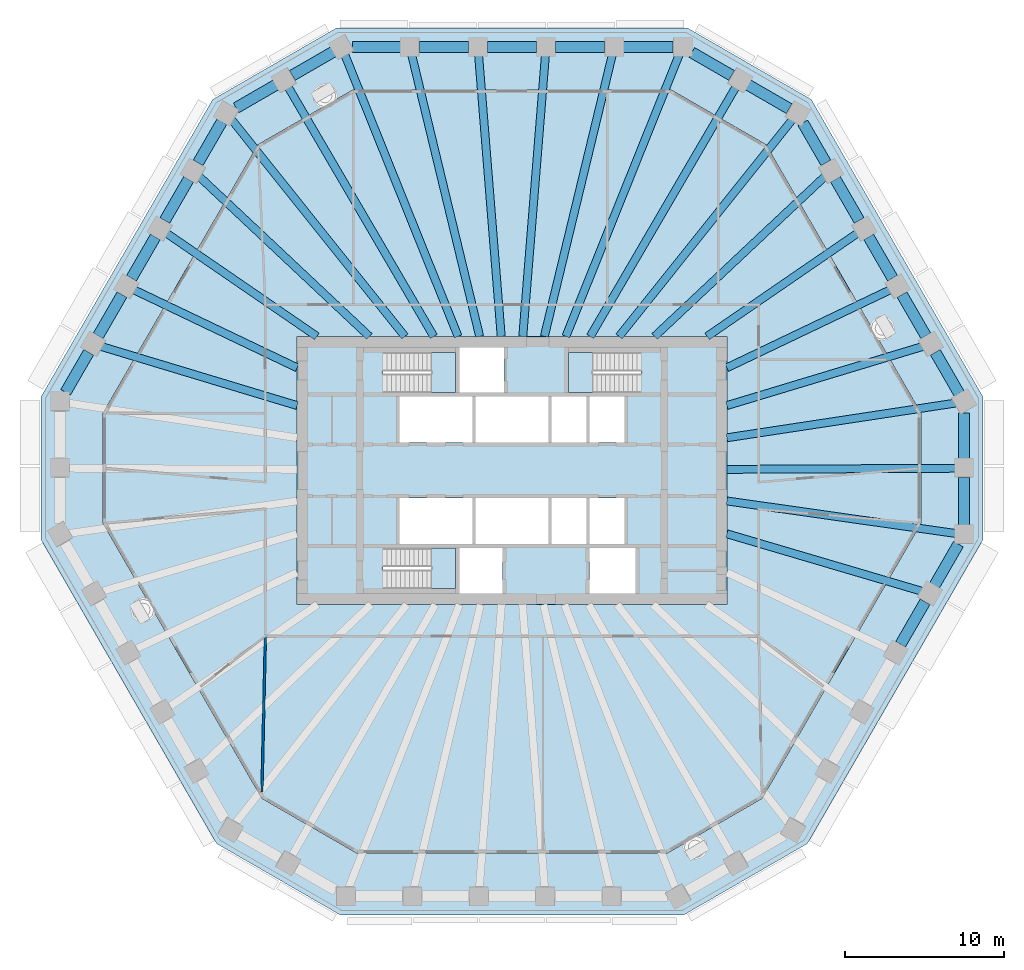
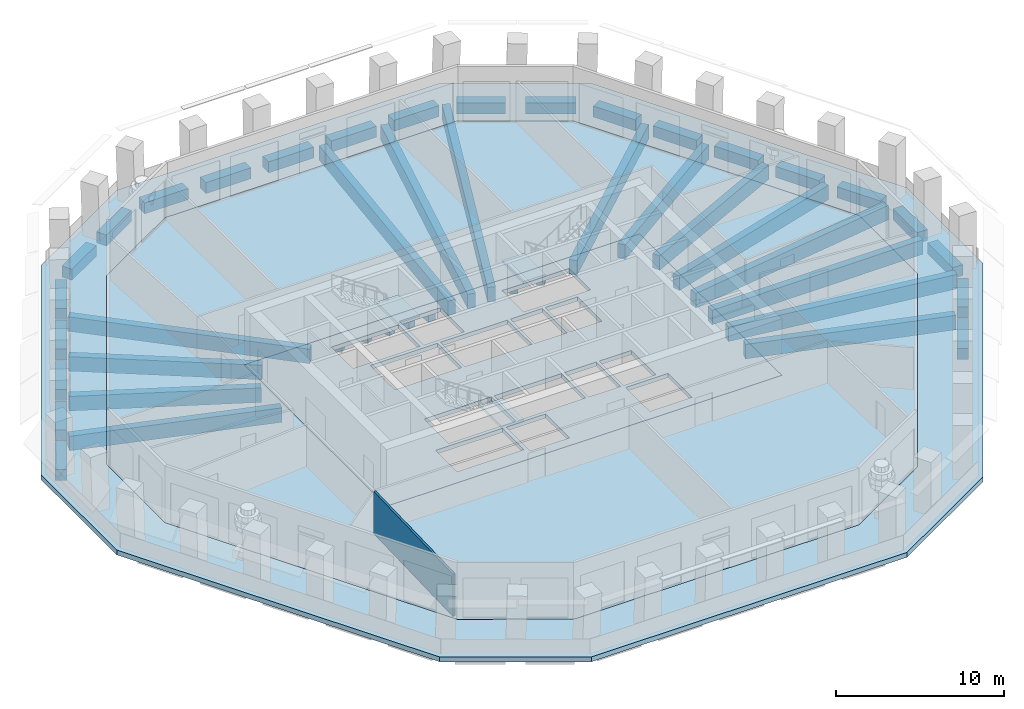
# One storey, part 2 of 12: 45 beams, 6 slabs, 1 wall, 3 elements without a shape of their own.
"""IFC4 building model written with IfcOpenShell, lengths in metres."""

import ifcopenshell
import ifcopenshell.guid

model = None  # the IFC model being written
_history = None  # IfcOwnerHistory: only IFC2X3 demands one
_inside = {}  # id of a spatial element -> (the spatial element, [elements in it])
_under = {}  # id of a project, library or spatial element -> (it, [spatial elements below it])
_declared = {}  # id of a project -> (the project, [libraries it declares])
_typed = {}  # id of a type object -> (the type object, [elements of that type])
_made_of = {}  # id of a material, layer set ... -> (it, [elements and type objects made of it])


def new_model(schema):
    """Start an empty IFC model of exactly this schema.

    Asked for "IFC4X3", IfcOpenShell would pick the latest addendum, in which some entities
    have other attributes; the version numbers below select the first issue.
    IFC2X3 requires an IfcOwnerHistory on every rooted entity: one is made here for all.
    """
    global model, _history
    if schema == "IFC4X3":
        model = ifcopenshell.file(schema_version=(4, 3, 0, 0))
    else:
        model = ifcopenshell.file(schema=schema)
    _inside.clear()
    _under.clear()
    _declared.clear()
    _typed.clear()
    _made_of.clear()
    _history = None
    if model.schema == "IFC2X3":
        org = make("IfcOrganization", Name="unknown")
        user = make(
            "IfcPersonAndOrganization",
            ThePerson=make("IfcPerson", FamilyName="unknown"),
            TheOrganization=org,
        )
        app = make(
            "IfcApplication",
            ApplicationDeveloper=org,
            Version="unknown",
            ApplicationFullName="unknown",
            ApplicationIdentifier="unknown",
        )
        _history = make(
            "IfcOwnerHistory",
            OwningUser=user,
            OwningApplication=app,
            ChangeAction="ADDED",
            CreationDate=0,
        )
    return model


def make(cls, **values):
    """One entity of the class cls with the attributes given. An attribute that is None is left unset."""
    return model.create_entity(
        cls, **{name: value for name, value in values.items() if value is not None}
    )


def rooted(cls, **values):
    """An entity with a GlobalId (a new one), such as an element, a storey or a relation."""
    return make(cls, GlobalId=ifcopenshell.guid.new(), OwnerHistory=_history, **values)


def si_unit(unit_type, name, prefix=None):
    """IfcSIUnit, for example si_unit("LENGTHUNIT", "METRE", prefix="MILLI")."""
    return make("IfcSIUnit", UnitType=unit_type, Prefix=prefix, Name=name)


def assignment(units):
    """IfcUnitAssignment: the units of a project."""
    return None if units is None else make("IfcUnitAssignment", Units=units)


def point(xyz):
    """IfcCartesianPoint."""
    return None if xyz is None else make("IfcCartesianPoint", Coordinates=xyz)


def direction(xyz):
    """IfcDirection."""
    return None if xyz is None else make("IfcDirection", DirectionRatios=xyz)


def frame(location, z_axis=None, x_axis=None):
    """IfcAxis2Placement3D, a coordinate frame: its origin and axes. An axis left out is left unset."""
    return make(
        "IfcAxis2Placement3D",
        Location=point(location),
        Axis=direction(z_axis),
        RefDirection=direction(x_axis),
    )


def frame_2d(location, x_axis=None):
    """IfcAxis2Placement2D, a coordinate frame in the plane: its origin and x axis."""
    return make(
        "IfcAxis2Placement2D", Location=point(location), RefDirection=direction(x_axis)
    )


def origin():
    """The frame at (0, 0, 0) with its axes left unset."""
    return frame((0.0, 0.0, 0.0))


def origin_2d():
    """The frame at (0, 0) in the plane with its x axis left unset."""
    return frame_2d((0.0, 0.0))


def place(relative_to, where):
    """IfcLocalPlacement: puts the frame where relative to a parent placement (None: the world)."""
    return make(
        "IfcLocalPlacement", PlacementRelTo=relative_to, RelativePlacement=where
    )


def context(
    kind, dimensions, precision=None, world=None, true_north=None, identifier=None
):
    """IfcGeometricRepresentationContext, for example the 3D "Model" context."""
    return make(
        "IfcGeometricRepresentationContext",
        ContextIdentifier=identifier,
        ContextType=kind,
        CoordinateSpaceDimension=dimensions,
        Precision=precision,
        WorldCoordinateSystem=world,
        TrueNorth=true_north,
    )


def subcontext(parent, identifier, kind, view, scale=None):
    """IfcGeometricRepresentationSubContext, for example "Body" below "Model"."""
    return make(
        "IfcGeometricRepresentationSubContext",
        ContextIdentifier=identifier,
        ContextType=kind,
        ParentContext=parent,
        TargetScale=scale,
        TargetView=view,
    )


def project(units=None, contexts=None):
    """IfcProject with its units and contexts."""
    return rooted(
        "IfcProject",
        Name="project",
        RepresentationContexts=contexts,
        UnitsInContext=assignment(units),
    )


def spatial(cls, under=None, at=None, **own):
    """A site, building, storey or space (cls), placed at a placement, below another one or the project."""
    s = rooted(cls, ObjectPlacement=at, **own)
    if under is not None:
        _under.setdefault(under.id(), (under, []))[1].append(s)
    return s


def polyline(points):
    """IfcPolyline through the points."""
    return make("IfcPolyline", Points=[point(p) for p in points])


def profile(cls, at=None, kind="AREA", **sizes):
    """A parametric profile (cls). Its sizes go by their IFC names, for example OverallWidth=200.0."""
    return make(cls, ProfileType=kind, Position=at, **sizes)


def rectangle(**sizes):
    """IfcRectangleProfileDef."""
    return profile("IfcRectangleProfileDef", **sizes)


def outline(outer, holes=None, kind="AREA"):
    """IfcArbitraryClosedProfileDef: a profile drawn as a closed curve; with holes, ...WithVoids."""
    if holes is None:
        return make("IfcArbitraryClosedProfileDef", ProfileType=kind, OuterCurve=outer)
    return make(
        "IfcArbitraryProfileDefWithVoids",
        ProfileType=kind,
        OuterCurve=outer,
        InnerCurves=holes,
    )


def extrude(swept, where, along, depth):
    """IfcExtrudedAreaSolid: the profile swept, set in the frame where, extruded along a direction by depth."""
    return make(
        "IfcExtrudedAreaSolid",
        SweptArea=swept,
        Position=where,
        ExtrudedDirection=direction(along),
        Depth=depth,
    )


def shape(context_of_items, identifier, shape_type, items):
    """IfcShapeRepresentation: the items that make up one representation, for example the "Body"."""
    return make(
        "IfcShapeRepresentation",
        ContextOfItems=context_of_items,
        RepresentationIdentifier=identifier,
        RepresentationType=shape_type,
        Items=items,
    )


def material(Name=None, Category=None):
    """IfcMaterial."""
    return make("IfcMaterial", Name=Name, Category=Category)


def layer(
    of_material, thickness, ventilated=None, Name=None, Category=None, Priority=None
):
    """IfcMaterialLayer: one layer of a wall or slab, of a material (None: an air gap)."""
    return make(
        "IfcMaterialLayer",
        Material=of_material,
        LayerThickness=thickness,
        IsVentilated=ventilated,
        Name=Name,
        Category=Category,
        Priority=Priority,
    )


def layer_set(layers, Name=None):
    """IfcMaterialLayerSet."""
    return make("IfcMaterialLayerSet", MaterialLayers=layers, LayerSetName=Name)


def material_profile(
    of_material, cross_section, Name=None, Category=None, Priority=None
):
    """IfcMaterialProfile: a cross section and its material."""
    return make(
        "IfcMaterialProfile",
        Name=Name,
        Material=of_material,
        Profile=cross_section,
        Priority=Priority,
        Category=Category,
    )


def profile_set(profiles, Name=None, composite=None):
    """IfcMaterialProfileSet."""
    return make(
        "IfcMaterialProfileSet",
        Name=Name,
        MaterialProfiles=profiles,
        CompositeProfile=composite,
    )


def made_of(thing, what):
    """Note that an element or type object is made of a material, layer set ...; save() writes the relation."""
    if what is not None:
        _made_of.setdefault(what.id(), (what, []))[1].append(thing)
    return thing


def type_object(cls, material=None, **own):
    """A type object (cls), such as IfcWallType, which elements share."""
    return made_of(rooted(cls, **own), material)


def element(
    cls,
    number,
    at=None,
    inside=None,
    cuts=None,
    type_object=None,
    material=None,
    context=None,
    identifier="Body",
    shape_type=None,
    held_by="IfcProductDefinitionShape",
    body=None,
    shapes=None,
    **own,
):
    """One element of the class cls, such as IfcWall. Its Tag is "e" and its number.

    at: its placement. inside: the storey or other place that contains it. cuts: it is an
    opening in that element (IfcRelVoidsElement). A single representation is given by context,
    identifier, shape_type and body (its items); several are given by shapes. held_by: the class
    of the entity that holds the representations. save() writes the other relations.
    """
    e = rooted(cls, Tag="e%d" % number, ObjectPlacement=at, **own)
    if body is not None:
        shapes = [shape(context, identifier, shape_type, body)]
    if shapes is not None:
        e.Representation = make(held_by, Representations=shapes)
    if inside is not None:
        _inside.setdefault(inside.id(), (inside, []))[1].append(e)
    if cuts is not None:
        rooted(
            "IfcRelVoidsElement", RelatingBuildingElement=cuts, RelatedOpeningElement=e
        )
    if type_object is not None:
        _typed.setdefault(type_object.id(), (type_object, []))[1].append(e)
    return made_of(e, material)


def aggregate(whole, parts):
    """IfcRelAggregates: a whole, such as a stair, and the parts it consists of."""
    return rooted("IfcRelAggregates", RelatingObject=whole, RelatedObjects=parts)


def save(model, path):
    """Write the relations noted so far, then the file.

    IfcRelAggregates (storeys below a building ...), IfcRelContainedInSpatialStructure (elements
    in a storey), IfcRelDefinesByType, IfcRelAssociatesMaterial and IfcRelDeclares: one each for
    every whole, place, type object, material and project.
    """
    for whole, parts in _under.values():
        aggregate(whole, parts)
    for where, things in _inside.values():
        rooted(
            "IfcRelContainedInSpatialStructure",
            RelatedElements=things,
            RelatingStructure=where,
        )
    for kind, things in _typed.values():
        rooted("IfcRelDefinesByType", RelatedObjects=things, RelatingType=kind)
    for what, things in _made_of.values():
        rooted("IfcRelAssociatesMaterial", RelatedObjects=things, RelatingMaterial=what)
    for by, libraries in _declared.values():
        rooted("IfcRelDeclares", RelatingContext=by, RelatedDefinitions=libraries)
    model.write(path)


model = new_model("IFC4")

# Units and contexts
model_context = context("Model", 3, precision=1e-05, world=origin(), true_north=direction((0.0, 1.0)))
body_context = subcontext(model_context, "Body", "Model", "MODEL_VIEW")
ifc_project = project(units=[si_unit("LENGTHUNIT", "METRE"), si_unit("AREAUNIT", "SQUARE_METRE"), si_unit("VOLUMEUNIT", "CUBIC_METRE"), si_unit("PLANEANGLEUNIT", "RADIAN"), si_unit("MASSUNIT", "GRAM", prefix="KILO")], contexts=[model_context])

# Site, building, storey
site_placement = place(None, origin())
site = spatial("IfcSite", under=ifc_project, at=site_placement, CompositionType="ELEMENT")
building_placement = place(site_placement, origin())
building = spatial("IfcBuilding", under=site, at=building_placement, Name="Frailejon Research Tower", CompositionType="ELEMENT")
storey_placement = place(building_placement, frame((0.0, 0.0, 149.60009765625)))
storey = spatial("IfcBuildingStorey", under=building, at=storey_placement, Name="L32", CompositionType="ELEMENT", Elevation=149.60009765625)

# Beams
ifc_material_1 = material(Name="Concrete C60/75", Category="concrete")
ifc_material_profile_1 = material_profile(ifc_material_1, rectangle(XDim=0.5, YDim=1.050048828125, at=origin_2d()), Name="Girder 500x1050")
ifc_profile_set_1 = profile_set([ifc_material_profile_1], Name="Concrete C60/75")
beam_type_1 = type_object("IfcBeamType", Name="Girder 500x1050", PredefinedType="BEAM", material=ifc_profile_set_1)
beam_1_placement = place(storey_placement, frame((28.041015625, -3.985107421875, -0.8251953125), z_axis=(-0.990052646145, 0.140697398201, 0.0), x_axis=(-0.140697398201, -0.990052646145, 0.0)))
element("IfcBeam", 1, at=beam_1_placement, inside=storey, type_object=beam_type_1, Name="Girder 500x1050", PredefinedType="BEAM", context=body_context, shape_type="SweptSolid", body=[
    extrude(rectangle(XDim=0.5, YDim=1.050048828125, at=origin_2d()), origin(), (0.0, 0.0, 1.0), 14.636474609375),
])
beam_2_placement = place(storey_placement, frame((28.04248046875, 0.135986328125, -0.8251953125), z_axis=(-0.999988312442, -0.004834767704, 0.0), x_axis=(0.004834767704, -0.999988312442, 0.0)))
element("IfcBeam", 2, at=beam_2_placement, inside=storey, type_object=beam_type_1, Name="Girder 500x1050", PredefinedType="BEAM", context=body_context, shape_type="SweptSolid", body=[
    extrude(rectangle(XDim=0.5, YDim=1.050048828125, at=origin_2d()), origin(), (0.0, 0.0, 1.0), 14.49267578125),
])
beam_3_placement = place(storey_placement, frame((28.00390625, 4.251708984375, -0.8251953125), z_axis=(-0.988668835265, -0.1501130713, 0.0), x_axis=(0.1501130713, -0.988668835265, 0.0)))
element("IfcBeam", 3, at=beam_3_placement, inside=storey, type_object=beam_type_1, Name="Girder 500x1050", PredefinedType="BEAM", context=body_context, shape_type="SweptSolid", body=[
    extrude(rectangle(XDim=0.5, YDim=1.050048828125, at=origin_2d()), origin(), (0.0, 0.0, 1.0), 14.61962890625),
])
beam_4_placement = place(storey_placement, frame((25.9462890625, 7.82861328125, -0.8251953125), z_axis=(-0.957371008476, -0.28886112949, 0.0), x_axis=(0.28886112949, -0.957371008476, 0.0)))
element("IfcBeam", 4, at=beam_4_placement, inside=storey, type_object=beam_type_1, Name="Girder 500x1050", PredefinedType="BEAM", context=body_context, shape_type="SweptSolid", body=[
    extrude(rectangle(XDim=0.5, YDim=1.050048828125, at=origin_2d()), origin(), (0.0, 0.0, 1.0), 12.9482421875),
])
beam_5_placement = place(storey_placement, frame((23.885009765625, 11.40576171875, -0.8251953125), z_axis=(-0.902397402324, -0.430904778668, 0.0), x_axis=(0.430904778668, -0.902397402324, 0.0)))
element("IfcBeam", 5, at=beam_5_placement, inside=storey, type_object=beam_type_1, Name="Girder 500x1050", PredefinedType="BEAM", context=body_context, shape_type="SweptSolid", body=[
    extrude(rectangle(XDim=0.5, YDim=1.050048828125, at=origin_2d()), origin(), (0.0, 0.0, 1.0), 11.452880859375),
])
beam_6_placement = place(storey_placement, frame((21.820068359375, 14.98193359375, -0.8251953125), z_axis=(-0.824385599422, -0.566028606578, 0.0), x_axis=(0.566028606578, -0.824385599422, 0.0)))
element("IfcBeam", 6, at=beam_6_placement, inside=storey, type_object=beam_type_1, Name="Girder 500x1050", PredefinedType="BEAM", context=body_context, shape_type="SweptSolid", body=[
    extrude(rectangle(XDim=0.5, YDim=1.050048828125, at=origin_2d()), origin(), (0.0, 0.0, 1.0), 11.5400390625),
])
beam_7_placement = place(storey_placement, frame((19.752685546875, 18.555908203125, -0.8251953125), z_axis=(-0.728835815672, -0.684688508589, 0.0), x_axis=(0.684688508589, -0.728835815672, 0.0)))
element("IfcBeam", 7, at=beam_7_placement, inside=storey, type_object=beam_type_1, Name="Girder 500x1050", PredefinedType="BEAM", context=body_context, shape_type="SweptSolid", body=[
    extrude(rectangle(XDim=0.5, YDim=1.050048828125, at=origin_2d()), origin(), (0.0, 0.0, 1.0), 14.760009765625),
])
beam_8_placement = place(storey_placement, frame((17.70751953125, 22.155517578125, -0.8251953125), z_axis=(-0.624335229323, -0.781156528121, 0.0), x_axis=(0.781156528121, -0.624335229323, 0.0)))
element("IfcBeam", 8, at=beam_8_placement, inside=storey, type_object=beam_type_1, Name="Girder 500x1050", PredefinedType="BEAM", context=body_context, shape_type="SweptSolid", body=[
    extrude(rectangle(XDim=0.5, YDim=1.050048828125, at=origin_2d()), origin(), (0.0, 0.0, 1.0), 17.545166015625),
])
beam_9_placement = place(storey_placement, frame((14.13916015625, 24.217529296875, -0.8251953125), z_axis=(-0.50419024716, -0.863592609202, 0.0), x_axis=(0.863592609202, -0.50419024716, 0.0)))
element("IfcBeam", 9, at=beam_9_placement, inside=storey, type_object=beam_type_1, Name="Girder 500x1050", PredefinedType="BEAM", context=body_context, shape_type="SweptSolid", body=[
    extrude(rectangle(XDim=0.5, YDim=1.050048828125, at=origin_2d()), origin(), (0.0, 0.0, 1.0), 18.258056640625),
])
beam_10_placement = place(storey_placement, frame((10.55419921875, 26.2392578125, -0.8251953125), z_axis=(-0.373179133587, -0.927759308364, 0.0), x_axis=(0.927759308364, -0.373179133587, 0.0)))
element("IfcBeam", 10, at=beam_10_placement, inside=storey, type_object=beam_type_1, Name="Girder 500x1050", PredefinedType="BEAM", context=body_context, shape_type="SweptSolid", body=[
    extrude(rectangle(XDim=0.5, YDim=1.050048828125, at=origin_2d()), origin(), (0.0, 0.0, 1.0), 19.174560546875),
])
beam_11_placement = place(storey_placement, frame((6.333984375, 26.245849609375, -0.8251953125), z_axis=(-0.234594905486, -0.972093221003, 0.0), x_axis=(0.972093221003, -0.234594905486, 0.0)))
element("IfcBeam", 11, at=beam_11_placement, inside=storey, type_object=beam_type_1, Name="Girder 500x1050", PredefinedType="BEAM", context=body_context, shape_type="SweptSolid", body=[
    extrude(rectangle(XDim=0.5, YDim=1.050048828125, at=origin_2d()), origin(), (0.0, 0.0, 1.0), 18.306884765625),
])
for number, where, z_axis, x_axis, name in (
    (12, (2.11181640625, 26.24951171875, -0.8251953125), (-0.080199495678, -0.996778832486, 0.0), (0.996778832486, -0.080199495678, 0.0), "Girder 500x1050"),
    (13, (-2.11181640625, 26.24951171875, -0.8251953125), (0.080199495678, -0.996778832486, 0.0), (0.996778832486, 0.080199495678, 0.0), "Girder 500x1050"),
):
    element("IfcBeam", number, at=place(storey_placement, frame(where, z_axis=z_axis, x_axis=x_axis)), inside=storey, type_object=beam_type_1, Name=name, PredefinedType="BEAM", context=body_context, shape_type="SweptSolid", body=[
        extrude(rectangle(XDim=0.5, YDim=1.050048828125, at=origin_2d()), origin(), (0.0, 0.0, 1.0), 17.857177734375),
    ])
beam_12_placement = place(storey_placement, frame((-6.333984375, 26.245849609375, -0.8251953125), z_axis=(0.234594905486, -0.972093221003, 0.0), x_axis=(0.972093221003, 0.234594905486, 0.0)))
element("IfcBeam", 14, at=beam_12_placement, inside=storey, type_object=beam_type_1, Name="Girder 500x1050", PredefinedType="BEAM", context=body_context, shape_type="SweptSolid", body=[
    extrude(rectangle(XDim=0.5, YDim=1.050048828125, at=origin_2d()), origin(), (0.0, 0.0, 1.0), 18.306884765625),
])
beam_13_placement = place(storey_placement, frame((-10.5693359375, 26.27685546875, -0.8251953125), z_axis=(0.37317974055, -0.92775906422, 0.0), x_axis=(0.92775906422, 0.37317974055, 0.0)))
element("IfcBeam", 15, at=beam_13_placement, inside=storey, type_object=beam_type_1, Name="Girder 500x1050", PredefinedType="BEAM", context=body_context, shape_type="SweptSolid", body=[
    extrude(rectangle(XDim=0.5, YDim=1.050048828125, at=origin_2d()), origin(), (0.0, 0.0, 1.0), 19.215087890625),
])
beam_14_placement = place(storey_placement, frame((-14.13916015625, 24.217529296875, -0.8251953125), z_axis=(0.50419024716, -0.863592609202, 0.0), x_axis=(0.863592609202, 0.50419024716, 0.0)))
element("IfcBeam", 16, at=beam_14_placement, inside=storey, type_object=beam_type_1, Name="Girder 500x1050", PredefinedType="BEAM", context=body_context, shape_type="SweptSolid", body=[
    extrude(rectangle(XDim=0.5, YDim=1.050048828125, at=origin_2d()), origin(), (0.0, 0.0, 1.0), 18.258056640625),
])
beam_15_placement = place(storey_placement, frame((-17.68408203125, 22.126220703125, -0.8251953125), z_axis=(0.624334458105, -0.781157144513, 0.0), x_axis=(0.781157144513, 0.624334458105, 0.0)))
element("IfcBeam", 17, at=beam_15_placement, inside=storey, type_object=beam_type_1, Name="Girder 500x1050", PredefinedType="BEAM", context=body_context, shape_type="SweptSolid", body=[
    extrude(rectangle(XDim=0.5, YDim=1.050048828125, at=origin_2d()), origin(), (0.0, 0.0, 1.0), 17.5078125),
])
beam_16_placement = place(storey_placement, frame((-19.752685546875, 18.555908203125, -0.8251953125), z_axis=(0.728835815672, -0.684688508589, 0.0), x_axis=(0.684688508589, 0.728835815672, 0.0)))
element("IfcBeam", 18, at=beam_16_placement, inside=storey, type_object=beam_type_1, Name="Girder 500x1050", PredefinedType="BEAM", context=body_context, shape_type="SweptSolid", body=[
    extrude(rectangle(XDim=0.5, YDim=1.050048828125, at=origin_2d()), origin(), (0.0, 0.0, 1.0), 14.760009765625),
])
beam_17_placement = place(storey_placement, frame((-21.820068359375, 14.98193359375, -0.8251953125), z_axis=(0.824385599422, -0.566028606578, 0.0), x_axis=(0.566028606578, 0.824385599422, 0.0)))
element("IfcBeam", 19, at=beam_17_placement, inside=storey, type_object=beam_type_1, Name="Girder 500x1050", PredefinedType="BEAM", context=body_context, shape_type="SweptSolid", body=[
    extrude(rectangle(XDim=0.5, YDim=1.050048828125, at=origin_2d()), origin(), (0.0, 0.0, 1.0), 11.5400390625),
])
beam_18_placement = place(storey_placement, frame((-23.885009765625, 11.40576171875, -0.8251953125), z_axis=(0.902397402324, -0.430904778668, 0.0), x_axis=(0.430904778668, 0.902397402324, 0.0)))
element("IfcBeam", 20, at=beam_18_placement, inside=storey, type_object=beam_type_1, Name="Girder 500x1050", PredefinedType="BEAM", context=body_context, shape_type="SweptSolid", body=[
    extrude(rectangle(XDim=0.5, YDim=1.050048828125, at=origin_2d()), origin(), (0.0, 0.0, 1.0), 11.452880859375),
])
beam_19_placement = place(storey_placement, frame((-25.9462890625, 7.82861328125, -0.8251953125), z_axis=(0.957371008476, -0.28886112949, 0.0), x_axis=(0.28886112949, 0.957371008476, 0.0)))
element("IfcBeam", 21, at=beam_19_placement, inside=storey, type_object=beam_type_1, Name="Girder 500x1050", PredefinedType="BEAM", context=body_context, shape_type="SweptSolid", body=[
    extrude(rectangle(XDim=0.5, YDim=1.050048828125, at=origin_2d()), origin(), (0.0, 0.0, 1.0), 12.9482421875),
])
beam_20_placement = place(storey_placement, frame((25.896484375, -7.637451171875, -0.8251953125), z_axis=(-0.959153822497, 0.282885038116, 0.0), x_axis=(-0.282885038116, -0.959153822497, 0.0)))
element("IfcBeam", 22, at=beam_20_placement, inside=storey, type_object=beam_type_1, Name="Girder 500x1050", PredefinedType="BEAM", context=body_context, shape_type="SweptSolid", body=[
    extrude(rectangle(XDim=0.5, YDim=1.050048828125, at=origin_2d()), origin(), (0.0, 0.0, 1.0), 12.872314453125),
])
ifc_material_2 = material(Name="Concrete C60/75", Category="concrete")
ifc_material_profile_2 = material_profile(ifc_material_2, rectangle(XDim=0.699951171875, YDim=0.800048828125, at=origin_2d()), Name="Spandrel 700x800")
ifc_profile_set_2 = profile_set([ifc_material_profile_2], Name="Concrete C60/75")
beam_type_2 = type_object("IfcBeamType", Name="Spandrel 700x800", PredefinedType="BEAM", material=ifc_profile_set_2)
beam_21_placement = place(storey_placement, frame((28.49267578125, -3.44921875, -0.75), z_axis=(0.0, 1.0, 0.0), x_axis=(-1.0, 0.0, 0.0)))
element("IfcBeam", 23, at=beam_21_placement, inside=storey, type_object=beam_type_2, Name="Spandrel 700x800", PredefinedType="BEAM", context=body_context, shape_type="SweptSolid", body=[
    extrude(rectangle(XDim=0.699951171875, YDim=0.800048828125, at=origin_2d()), origin(), (0.0, 0.0, 1.0), 2.987548828125),
])
beam_22_placement = place(storey_placement, frame((28.49267578125, 0.73828125, -0.75), z_axis=(0.0, 1.0, 0.0), x_axis=(-1.0, 0.0, 0.0)))
element("IfcBeam", 24, at=beam_22_placement, inside=storey, type_object=beam_type_2, Name="Spandrel 700x800", PredefinedType="BEAM", context=body_context, shape_type="SweptSolid", body=[
    extrude(rectangle(XDim=0.699951171875, YDim=0.800048828125, at=origin_2d()), origin(), (0.0, 0.0, 1.0), 2.894775390625),
])
beam_23_placement = place(storey_placement, frame((28.192626953125, 4.845458984375, -0.75), z_axis=(-0.499990139034, 0.866031096941, 0.0), x_axis=(-0.866031096941, -0.499990139034, 0.0)))
element("IfcBeam", 25, at=beam_23_placement, inside=storey, type_object=beam_type_2, Name="Spandrel 700x800", PredefinedType="BEAM", context=body_context, shape_type="SweptSolid", body=[
    extrude(rectangle(XDim=0.699951171875, YDim=0.800048828125, at=origin_2d()), origin(), (0.0, 0.0, 1.0), 3.0),
])
beam_24_placement = place(storey_placement, frame((26.092529296875, 8.48291015625, -0.75), z_axis=(-0.50002537861, 0.866010750942, 0.0), x_axis=(-0.866010750942, -0.50002537861, 0.0)))
element("IfcBeam", 26, at=beam_24_placement, inside=storey, type_object=beam_type_2, Name="Spandrel 700x800", PredefinedType="BEAM", context=body_context, shape_type="SweptSolid", body=[
    extrude(rectangle(XDim=0.699951171875, YDim=0.800048828125, at=origin_2d()), origin(), (0.0, 0.0, 1.0), 2.999755859375),
])
for number, where, z_axis, x_axis, name in (
    (27, (23.99267578125, 12.1201171875, -0.75), (-0.499990139034, 0.866031096941, 0.0), (-0.866031096941, -0.499990139034, 0.0), "Spandrel 700x800"),
    (28, (21.892578125, 15.75732421875, -0.75), (-0.499990139034, 0.866031096941, 0.0), (-0.866031096941, -0.499990139034, 0.0), "Spandrel 700x800"),
):
    element("IfcBeam", number, at=place(storey_placement, frame(where, z_axis=z_axis, x_axis=x_axis)), inside=storey, type_object=beam_type_2, Name=name, PredefinedType="BEAM", context=body_context, shape_type="SweptSolid", body=[
        extrude(rectangle(XDim=0.699951171875, YDim=0.800048828125, at=origin_2d()), origin(), (0.0, 0.0, 1.0), 3.0),
    ])
beam_25_placement = place(storey_placement, frame((19.79248046875, 19.394775390625, -0.75), z_axis=(-0.499959940361, 0.866048530993, 0.0), x_axis=(-0.866048530993, -0.499959940361, 0.0)))
element("IfcBeam", 29, at=beam_25_placement, inside=storey, type_object=beam_type_2, Name="Spandrel 700x800", PredefinedType="BEAM", context=body_context, shape_type="SweptSolid", body=[
    extrude(rectangle(XDim=0.699951171875, YDim=0.800048828125, at=origin_2d()), origin(), (0.0, 0.0, 1.0), 2.906982421875),
])
beam_26_placement = place(storey_placement, frame((17.472900390625, 22.8125, -0.75), z_axis=(-0.86603180189, 0.499988917992, 0.0), x_axis=(-0.499988917992, -0.86603180189, 0.0)))
element("IfcBeam", 30, at=beam_26_placement, inside=storey, type_object=beam_type_2, Name="Spandrel 700x800", PredefinedType="BEAM", context=body_context, shape_type="SweptSolid", body=[
    extrude(rectangle(XDim=0.699951171875, YDim=0.800048828125, at=origin_2d()), origin(), (0.0, 0.0, 1.0), 2.9873046875),
])
beam_27_placement = place(storey_placement, frame((13.846435546875, 24.90625, -0.75), z_axis=(-0.866033897268, 0.499985288567, 0.0), x_axis=(-0.499985288567, -0.866033897268, 0.0)))
element("IfcBeam", 31, at=beam_27_placement, inside=storey, type_object=beam_type_2, Name="Spandrel 700x800", PredefinedType="BEAM", context=body_context, shape_type="SweptSolid", body=[
    extrude(rectangle(XDim=0.699951171875, YDim=0.800048828125, at=origin_2d()), origin(), (0.0, 0.0, 1.0), 2.89453125),
])
beam_28_placement = place(storey_placement, frame((10.139404296875, 26.699951171875, -0.75), z_axis=(-1.0, 0.0, 0.0), x_axis=(0.0, -1.0, 0.0)))
element("IfcBeam", 32, at=beam_28_placement, inside=storey, type_object=beam_type_2, Name="Spandrel 700x800", PredefinedType="BEAM", context=body_context, shape_type="SweptSolid", body=[
    extrude(rectangle(XDim=0.699951171875, YDim=0.800048828125, at=origin_2d()), origin(), (0.0, 0.0, 1.0), 3.095703125),
])
beam_29_placement = place(storey_placement, frame((5.84375, 26.699951171875, -0.75), z_axis=(-1.0, 0.0, 0.0), x_axis=(0.0, -1.0, 0.0)))
element("IfcBeam", 33, at=beam_29_placement, inside=storey, type_object=beam_type_2, Name="Spandrel 700x800", PredefinedType="BEAM", context=body_context, shape_type="SweptSolid", body=[
    extrude(rectangle(XDim=0.699951171875, YDim=0.800048828125, at=origin_2d()), origin(), (0.0, 0.0, 1.0), 3.095947265625),
])
beam_30_placement = place(storey_placement, frame((1.5478515625, 26.699951171875, -0.75), z_axis=(-1.0, 0.0, 0.0), x_axis=(0.0, -1.0, 0.0)))
element("IfcBeam", 34, at=beam_30_placement, inside=storey, type_object=beam_type_2, Name="Spandrel 700x800", PredefinedType="BEAM", context=body_context, shape_type="SweptSolid", body=[
    extrude(rectangle(XDim=0.699951171875, YDim=0.800048828125, at=origin_2d()), origin(), (0.0, 0.0, 1.0), 3.095703125),
])
beam_31_placement = place(storey_placement, frame((-2.747802734375, 26.699951171875, -0.75), z_axis=(-1.0, 0.0, 0.0), x_axis=(0.0, -1.0, 0.0)))
element("IfcBeam", 35, at=beam_31_placement, inside=storey, type_object=beam_type_2, Name="Spandrel 700x800", PredefinedType="BEAM", context=body_context, shape_type="SweptSolid", body=[
    extrude(rectangle(XDim=0.699951171875, YDim=0.800048828125, at=origin_2d()), origin(), (0.0, 0.0, 1.0), 3.095947265625),
])
beam_32_placement = place(storey_placement, frame((-7.043701171875, 26.699951171875, -0.75), z_axis=(-1.0, 0.0, 0.0), x_axis=(0.0, -1.0, 0.0)))
element("IfcBeam", 36, at=beam_32_placement, inside=storey, type_object=beam_type_2, Name="Spandrel 700x800", PredefinedType="BEAM", context=body_context, shape_type="SweptSolid", body=[
    extrude(rectangle(XDim=0.699951171875, YDim=0.800048828125, at=origin_2d()), origin(), (0.0, 0.0, 1.0), 3.0029296875),
])
beam_33_placement = place(storey_placement, frame((-11.259033203125, 26.39990234375, -0.75), z_axis=(-0.866052229876, -0.499953532967, 0.0), x_axis=(0.499953532967, -0.866052229876, 0.0)))
element("IfcBeam", 37, at=beam_33_placement, inside=storey, type_object=beam_type_2, Name="Spandrel 700x800", PredefinedType="BEAM", context=body_context, shape_type="SweptSolid", body=[
    extrude(rectangle(XDim=0.699951171875, YDim=0.800048828125, at=origin_2d()), origin(), (0.0, 0.0, 1.0), 2.987548828125),
])
beam_34_placement = place(storey_placement, frame((-14.8857421875, 24.30615234375, -0.75), z_axis=(-0.866033897268, -0.499985288567, 0.0), x_axis=(0.499985288567, -0.866033897268, 0.0)))
element("IfcBeam", 38, at=beam_34_placement, inside=storey, type_object=beam_type_2, Name="Spandrel 700x800", PredefinedType="BEAM", context=body_context, shape_type="SweptSolid", body=[
    extrude(rectangle(XDim=0.699951171875, YDim=0.800048828125, at=origin_2d()), origin(), (0.0, 0.0, 1.0), 2.89453125),
])
for number, where, z_axis, x_axis, name in (
    (39, (-18.29248046875, 21.992919921875, -0.75), (-0.499990139034, -0.866031096941, 0.0), (0.866031096941, -0.499990139034, 0.0), "Spandrel 700x800"),
    (40, (-20.392578125, 18.35546875, -0.75), (-0.499990139034, -0.866031096941, 0.0), (0.866031096941, -0.499990139034, 0.0), "Spandrel 700x800"),
    (41, (-22.49267578125, 14.71826171875, -0.75), (-0.499990139034, -0.866031096941, 0.0), (0.866031096941, -0.499990139034, 0.0), "Spandrel 700x800"),
):
    element("IfcBeam", number, at=place(storey_placement, frame(where, z_axis=z_axis, x_axis=x_axis)), inside=storey, type_object=beam_type_2, Name=name, PredefinedType="BEAM", context=body_context, shape_type="SweptSolid", body=[
        extrude(rectangle(XDim=0.699951171875, YDim=0.800048828125, at=origin_2d()), origin(), (0.0, 0.0, 1.0), 3.0),
    ])
beam_35_placement = place(storey_placement, frame((-24.592529296875, 11.080810546875, -0.75), z_axis=(-0.50002537861, -0.866010750942, 0.0), x_axis=(0.866010750942, -0.50002537861, 0.0)))
element("IfcBeam", 42, at=beam_35_placement, inside=storey, type_object=beam_type_2, Name="Spandrel 700x800", PredefinedType="BEAM", context=body_context, shape_type="SweptSolid", body=[
    extrude(rectangle(XDim=0.699951171875, YDim=0.800048828125, at=origin_2d()), origin(), (0.0, 0.0, 1.0), 2.999755859375),
])
beam_36_placement = place(storey_placement, frame((-26.692626953125, 7.443603515625, -0.75), z_axis=(-0.499986564408, -0.866033160688, 0.0), x_axis=(0.866033160688, -0.499986564408, 0.0)))
element("IfcBeam", 43, at=beam_36_placement, inside=storey, type_object=beam_type_2, Name="Spandrel 700x800", PredefinedType="BEAM", context=body_context, shape_type="SweptSolid", body=[
    extrude(rectangle(XDim=0.699951171875, YDim=0.800048828125, at=origin_2d()), origin(), (0.0, 0.0, 1.0), 2.9072265625),
])
beam_37_placement = place(storey_placement, frame((24.496826171875, -10.97021484375, -0.75), z_axis=(0.500006902329, 0.866021418686, 0.0), x_axis=(-0.866021418686, 0.500006902329, 0.0)))
element("IfcBeam", 44, at=beam_37_placement, inside=storey, type_object=beam_type_2, Name="Spandrel 700x800", PredefinedType="BEAM", context=body_context, shape_type="SweptSolid", body=[
    extrude(rectangle(XDim=0.699951171875, YDim=0.800048828125, at=origin_2d()), origin(), (0.0, 0.0, 1.0), 3.095703125),
])
beam_38_placement = place(storey_placement, frame((26.644775390625, -7.25, -0.75), z_axis=(0.500003959331, 0.866023117852, 0.0), x_axis=(-0.866023117852, 0.500003959331, 0.0)))
element("IfcBeam", 45, at=beam_38_placement, inside=storey, type_object=beam_type_2, Name="Spandrel 700x800", PredefinedType="BEAM", context=body_context, shape_type="SweptSolid", body=[
    extrude(rectangle(XDim=0.699951171875, YDim=0.800048828125, at=origin_2d()), origin(), (0.0, 0.0, 1.0), 3.0029296875),
])

# Slabs
ifc_material_3 = material(Name="Concrete C60/75", Category="concrete")
ifc_layer_1 = layer(ifc_material_3, 0.300048828125)
ifc_layer_set_1 = layer_set([ifc_layer_1], Name="Core floor slab 300 C60/75")
slab_type_1 = type_object("IfcSlabType", Name="Core floor slab 300 C60/75", PredefinedType="FLOOR", material=ifc_layer_set_1)
slab_1_placement = place(storey_placement, frame((0.0, 0.0, -0.300048828125)))
element("IfcSlab", 46, at=slab_1_placement, inside=storey, type_object=slab_type_1, Name="Core floor slab", PredefinedType="FLOOR", context=body_context, shape_type="SweptSolid", body=[
    extrude(outline(polyline([(13.550048828125, -8.449951171875), (13.550048828125, 8.449951171875), (-13.550048828125, 8.449951171875), (-13.550048828125, -8.449951171875), (13.550048828125, -8.449951171875)]), holes=[polyline([(-2.5, 1.75), (-2.5, 4.64990234375), (-7.10009765625, 4.64990234375), (-7.10009765625, 1.75), (-2.5, 1.75)]), polyline([(2.300048828125, 1.75), (2.300048828125, 4.64990234375), (-2.300048828125, 4.64990234375), (-2.300048828125, 1.75), (2.300048828125, 1.75)]), polyline([(4.699951171875, 1.75), (4.699951171875, 4.64990234375), (2.5, 4.64990234375), (2.5, 1.75), (4.699951171875, 1.75)]), polyline([(7.10009765625, 1.75), (7.10009765625, 4.64990234375), (4.89990234375, 4.64990234375), (4.89990234375, 1.75), (7.10009765625, 1.75)]), polyline([(-2.5, -4.64990234375), (-2.5, -1.75), (-7.10009765625, -1.75), (-7.10009765625, -4.64990234375), (-2.5, -4.64990234375)]), polyline([(2.300048828125, -4.64990234375), (2.300048828125, -1.75), (-2.300048828125, -1.75), (-2.300048828125, -4.64990234375), (2.300048828125, -4.64990234375)]), polyline([(4.699951171875, -4.64990234375), (4.699951171875, -1.75), (2.5, -1.75), (2.5, -4.64990234375), (4.699951171875, -4.64990234375)]), polyline([(7.10009765625, -4.64990234375), (7.10009765625, -1.75), (4.89990234375, -1.75), (4.89990234375, -4.64990234375), (7.10009765625, -4.64990234375)]), polyline([(-8.14697265625, 4.89990234375), (-3.550048828125, 4.89990234375), (-3.550048828125, 7.449951171875), (-8.14697265625, 7.449951171875), (-8.14697265625, 4.89990234375)]), polyline([(-8.14697265625, -7.449951171875), (-3.550048828125, -7.449951171875), (-3.550048828125, -4.89990234375), (-8.14697265625, -4.89990234375), (-8.14697265625, -7.449951171875)]), polyline([(8.14697265625, 7.449951171875), (3.550048828125, 7.449951171875), (3.550048828125, 4.89990234375), (8.14697265625, 4.89990234375), (8.14697265625, 7.449951171875)]), polyline([(-0.60009765625, -7.75), (-0.60009765625, -4.89990234375), (-3.300048828125, -4.89990234375), (-3.300048828125, -7.75), (-0.60009765625, -7.75)]), polyline([(7.800048828125, -7.75), (7.800048828125, -4.89990234375), (4.89990234375, -4.89990234375), (4.89990234375, -7.75), (7.800048828125, -7.75)]), polyline([(-0.5, 4.89990234375), (-0.5, 7.75), (-3.300048828125, 7.75), (-3.300048828125, 4.89990234375), (-0.5, 4.89990234375)])]), origin(), (0.0, 0.0, 1.0), 0.300048828125),
])
ifc_material_4 = material(Name="Concrete C40/50", Category="concrete")
ifc_layer_2 = layer(ifc_material_4, 0.35009765625)
ifc_layer_set_2 = layer_set([ifc_layer_2], Name="Loggia slab 350")
slab_type_2 = type_object("IfcSlabType", Name="Loggia slab 350", PredefinedType="USERDEFINED", material=ifc_layer_set_2)
slab_2_placement = place(storey_placement, frame((0.0, 0.0, -0.35009765625)))
element("IfcSlab", 47, at=slab_2_placement, inside=storey, type_object=slab_type_2, Name="Loggia slab L32", ObjectType="LOGGIA", PredefinedType="USERDEFINED", context=body_context, shape_type="SweptSolid", body=[
    extrude(outline(polyline([(18.631591796875, -23.529296875), (10.821533203125, -28.038330078125), (-10.821533203125, -28.038330078125), (-18.631591796875, -23.529296875), (-29.692626953125, -4.370849609375), (-29.692626953125, 4.6474609375), (-18.87109375, 23.390869140625), (-11.06103515625, 27.89990234375), (11.06103515625, 27.89990234375), (18.87109375, 23.390869140625), (29.692626953125, 4.6474609375), (29.692626953125, -4.370849609375), (18.631591796875, -23.529296875)]), holes=[polyline([(25.79248046875, 3.602294921875), (16.01611328125, 20.535888671875), (10.01611328125, 24.0), (-10.01611328125, 24.0), (-16.01611328125, 20.535888671875), (-25.79248046875, 3.602294921875), (-25.79248046875, -3.32568359375), (-15.776611328125, -20.67431640625), (-9.776611328125, -24.13818359375), (9.776611328125, -24.13818359375), (15.776611328125, -20.67431640625), (25.79248046875, -3.32568359375), (25.79248046875, 3.602294921875)])]), origin(), (0.0, 0.0, 1.0), 0.35009765625),
])
ifc_material_5 = material(Name="Concrete C40/50", Category="concrete")
ifc_layer_3 = layer(ifc_material_5, 0.300048828125)
ifc_layer_set_3 = layer_set([ifc_layer_3], Name="Slab typical 300")
slab_type_3 = type_object("IfcSlabType", Name="Slab typical 300", PredefinedType="FLOOR", material=ifc_layer_set_3)
slab_3_placement = place(storey_placement, frame((0.0, 0.0, -0.300048828125)))
element("IfcSlab", 48, at=slab_3_placement, inside=storey, type_object=slab_type_3, Name="Floor slab L32", PredefinedType="FLOOR", context=body_context, shape_type="SweptSolid", body=[
    extrude(outline(polyline([(25.79248046875, -3.32568359375), (25.79248046875, 3.602294921875), (16.01611328125, 20.535888671875), (10.01611328125, 24.0), (-10.01611328125, 24.0), (-16.01611328125, 20.535888671875), (-25.79248046875, 3.602294921875), (-25.79248046875, -3.32568359375), (-15.776611328125, -20.67431640625), (-9.776611328125, -24.13818359375), (9.776611328125, -24.13818359375), (15.776611328125, -20.67431640625), (25.79248046875, -3.32568359375)]), holes=[polyline([(13.550048828125, -8.449951171875), (-13.550048828125, -8.449951171875), (-13.550048828125, 8.449951171875), (13.550048828125, 8.449951171875), (13.550048828125, -8.449951171875)])]), origin(), (0.0, 0.0, 1.0), 0.300048828125),
])

# Stair, slab
ifc_material_6 = material(Name="Concrete C50/60", Category="concrete")
stair_type = type_object("IfcStairType", Name="Exit stair 24 risers", PredefinedType="HALF_TURN_STAIR", material=ifc_material_6)
stair_1_placement = place(storey_placement, origin())
stair_1 = element("IfcStair", 49, at=stair_1_placement, inside=storey, type_object=stair_type, Name="L32 Exit stair ST1", PredefinedType="HALF_TURN_STAIR")
ifc_material_7 = material(Name="Concrete C50/60", Category="concrete")
ifc_layer_4 = layer(ifc_material_7, 0.199951171875)
ifc_layer_set_4 = layer_set([ifc_layer_4], Name="Stair landing slab 200")
slab_type_4 = type_object("IfcSlabType", Name="Stair landing slab 200", PredefinedType="LANDING", material=ifc_layer_set_4)
slab_4_placement = place(storey_placement, frame((0.0, 0.0, 2.0)))
slab_4 = element("IfcSlab", 50, at=slab_4_placement, type_object=slab_type_4, Name="ST1 landing 1", PredefinedType="LANDING", context=body_context, shape_type="SweptSolid", body=[
    extrude(outline(polyline([(-5.070068359375, 4.89990234375), (-3.550048828125, 4.89990234375), (-3.550048828125, 7.449951171875), (-5.070068359375, 7.449951171875), (-5.070068359375, 4.89990234375)])), origin(), (0.0, 0.0, 1.0), 0.199951171875),
])
aggregate(stair_1, [slab_4])

stair_2_placement = place(storey_placement, origin())
stair_2 = element("IfcStair", 51, at=stair_2_placement, inside=storey, type_object=stair_type, Name="L32 Exit stair ST2", PredefinedType="HALF_TURN_STAIR")
slab_5_placement = place(storey_placement, frame((0.0, 0.0, 2.0)))
slab_5 = element("IfcSlab", 52, at=slab_5_placement, type_object=slab_type_4, Name="ST2 landing 1", PredefinedType="LANDING", context=body_context, shape_type="SweptSolid", body=[
    extrude(outline(polyline([(-5.070068359375, -7.449951171875), (-3.550048828125, -7.449951171875), (-3.550048828125, -4.89990234375), (-5.070068359375, -4.89990234375), (-5.070068359375, -7.449951171875)])), origin(), (0.0, 0.0, 1.0), 0.199951171875),
])
aggregate(stair_2, [slab_5])

stair_3_placement = place(storey_placement, origin())
stair_3 = element("IfcStair", 53, at=stair_3_placement, inside=storey, type_object=stair_type, Name="L32 Exit stair ST3", PredefinedType="HALF_TURN_STAIR")
slab_6_placement = place(storey_placement, frame((0.0, 0.0, 2.0)))
slab_6 = element("IfcSlab", 54, at=slab_6_placement, type_object=slab_type_4, Name="ST3 landing 1", PredefinedType="LANDING", context=body_context, shape_type="SweptSolid", body=[
    extrude(outline(polyline([(5.070068359375, 7.449951171875), (3.550048828125, 7.449951171875), (3.550048828125, 4.89990234375), (5.070068359375, 4.89990234375), (5.070068359375, 7.449951171875)])), origin(), (0.0, 0.0, 1.0), 0.199951171875),
])
aggregate(stair_3, [slab_6])

# Wall
ifc_material_8 = material(Name="Gypsum board and masonry partition", Category="masonry")
ifc_layer_5 = layer(ifc_material_8, 0.14990234375)
ifc_layer_set_5 = layer_set([ifc_layer_5], Name="Laboratory partition, blockwork 150")
wall_type = type_object("IfcWallType", Name="Laboratory partition, blockwork 150", PredefinedType="PARTITIONING", material=ifc_layer_set_5)
wall_placement = place(storey_placement, frame((-15.76806640625, -20.2890625, 0.0), z_axis=(0.0, 0.0, 1.0), x_axis=(0.022166340024, 0.9997542965, 0.0)))
element("IfcWall", 55, at=wall_placement, inside=storey, type_object=wall_type, Name="T:IW:L32:017", PredefinedType="PARTITIONING", context=body_context, shape_type="SweptSolid", body=[
    extrude(rectangle(XDim=9.79150390625, YDim=0.14990234375, at=frame_2d((4.895751953125, 0.0))), origin(), (0.0, 0.0, 1.0), 3.0498046875),
])

save(model, "model.ifc")
